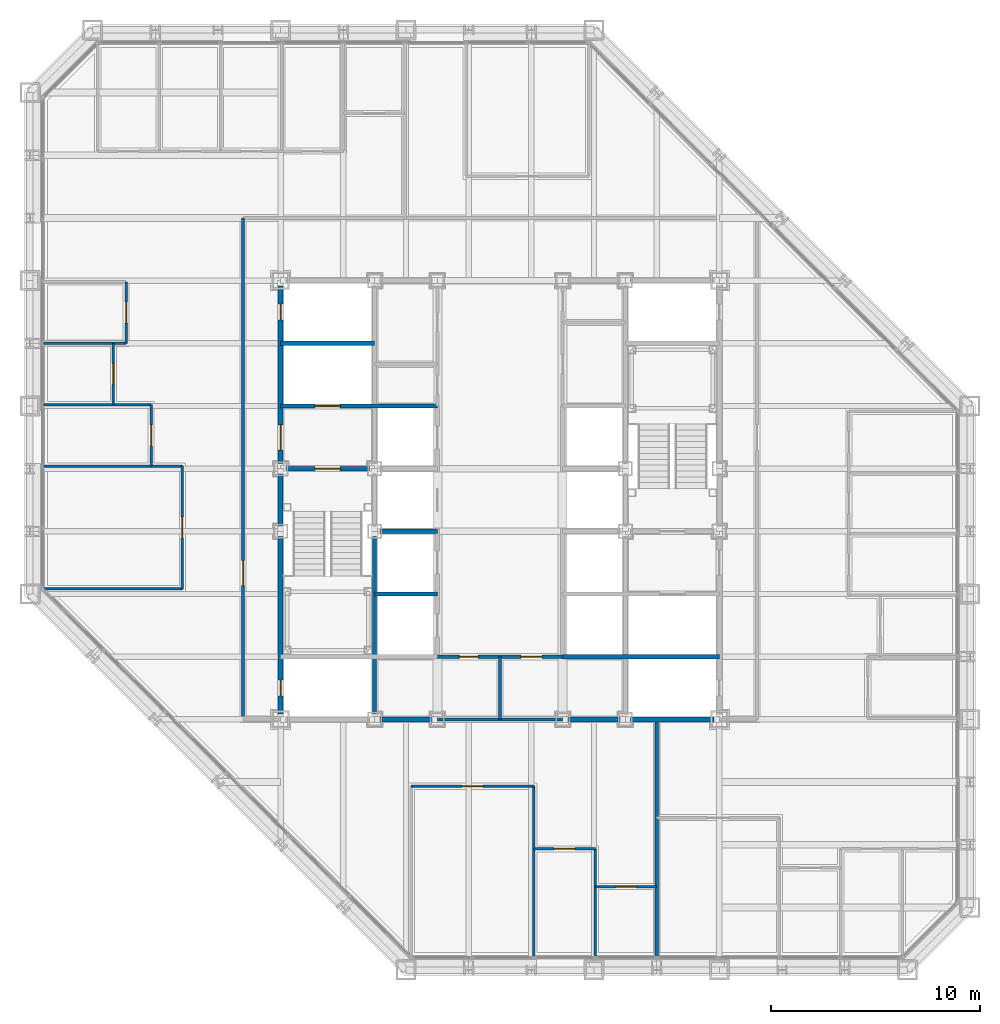
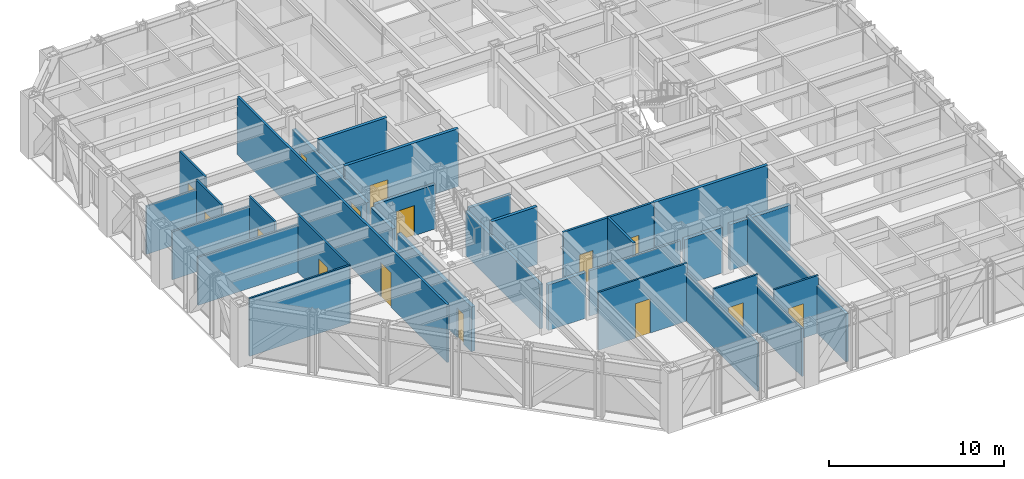
# One storey, part 10 of 16: 31 walls, 15 doors, 15 openings.
"""IFC4 building model written with IfcOpenShell, lengths in metres."""

from ifc_helpers import new_model, si_unit, direction, frame, frame_2d, origin, place, context, subcontext, project, spatial, rectangle, extrude, material, layer, layer_set, type_object, element, fill, save


model = new_model("IFC4")

# Units and contexts
model_context = context("Model", 3, precision=1e-05, world=origin(), true_north=direction((0.0, 1.0)))
body_context = subcontext(model_context, "Body", "Model", "MODEL_VIEW")
ifc_project = project(units=[si_unit("LENGTHUNIT", "METRE"), si_unit("AREAUNIT", "SQUARE_METRE"), si_unit("VOLUMEUNIT", "CUBIC_METRE"), si_unit("PLANEANGLEUNIT", "RADIAN"), si_unit("MASSUNIT", "GRAM", prefix="KILO")], contexts=[model_context])

# Site, building, storey
site_placement = place(None, origin())
site = spatial("IfcSite", under=ifc_project, at=site_placement, CompositionType="ELEMENT")
building_placement = place(site_placement, origin())
building = spatial("IfcBuilding", under=site, at=building_placement, Name="Chuquiago Exchange Tower", CompositionType="ELEMENT")
storey_placement = place(building_placement, frame((0.0, 0.0, 119.39990234375)))
storey = spatial("IfcBuildingStorey", under=building, at=storey_placement, Name="L25", CompositionType="ELEMENT", Elevation=119.39990234375)

# Wall, opening, door
ifc_material_1 = material(Name="Concrete masonry, fully grouted", Category="masonry")
ifc_layer_1 = layer(ifc_material_1, 0.25)
ifc_layer_set_1 = layer_set([ifc_layer_1], Name="W1 core wall 250")
wall_type_1 = type_object("IfcWallType", Name="W1 core wall 250", PredefinedType="SOLIDWALL", material=ifc_layer_set_1)
wall_1_placement = place(storey_placement, frame((12.0, 12.25, 0.0), z_axis=(0.0, 0.0, 1.0), x_axis=(0.0, 1.0, 0.0)))
wall_1 = element("IfcWall", 1, at=wall_1_placement, inside=storey, type_object=wall_type_1, Name="CW-L25-00-0", PredefinedType="SOLIDWALL", context=body_context, shape_type="SweptSolid", body=[
    extrude(rectangle(XDim=8.5, YDim=0.25, at=frame_2d((4.25, 0.0))), origin(), (0.0, 0.0, 1.0), 3.113037109375),
])
opening_1_placement = place(wall_1_placement, frame((0.875, 0.0, 0.0)))
opening_1 = element("IfcOpeningElement", 2, at=opening_1_placement, cuts=wall_1, Name="Opening L25-007", PredefinedType="OPENING", context=body_context, shape_type="SweptSolid", body=[
    extrude(rectangle(XDim=0.75, YDim=2.10009765625, at=frame_2d((0.375, 1.050048828125))), frame((0.0, 0.135009765625, 0.0), z_axis=(0.0, -1.0, 0.0), x_axis=(1.0, 0.0, 0.0)), (0.0, 0.0, 1.0), 0.27001953125),
])
ifc_material_2 = material(Name="Steel door, painted", Category="steel")
door_type_1 = type_object("IfcDoorType", Name="D6 riser access door 750x2100", OperationType="SINGLE_SWING_LEFT", PredefinedType="DOOR", material=ifc_material_2)
door_1_placement = place(opening_1_placement, frame((0.75, 0.0, 0.0), z_axis=(0.0, 0.0, 1.0), x_axis=(-1.0, 0.0, 0.0)))
door_1 = element("IfcDoor", 3, at=door_1_placement, inside=storey, type_object=door_type_1, Name="Riser RW1 door", OperationType="SINGLE_SWING_RIGHT", OverallHeight=2.10009765625, OverallWidth=0.75, PredefinedType="DOOR", context=body_context, shape_type="SweptSolid", body=[
    extrude(rectangle(XDim=0.75, YDim=2.10009765625, at=frame_2d((0.375, 1.050048828125))), frame((0.0, 0.02490234375, 0.0), z_axis=(0.0, -1.0, 0.0), x_axis=(1.0, 0.0, 0.0)), (0.0, 0.0, 1.0), 0.050048828125),
])
fill(opening_1, door_1)

# Wall
wall_2_placement = place(storey_placement, frame((12.0, 21.25, 0.0), z_axis=(0.0, 0.0, 1.0), x_axis=(0.0, 1.0, 0.0)))
element("IfcWall", 4, at=wall_2_placement, inside=storey, type_object=wall_type_1, Name="CW-L25-00-1", PredefinedType="SOLIDWALL", context=body_context, shape_type="SweptSolid", body=[
    extrude(rectangle(XDim=2.5, YDim=0.25, at=frame_2d((1.25, 0.0))), origin(), (0.0, 0.0, 1.0), 3.113037109375),
])

# Wall, openings, doors
wall_3_placement = place(storey_placement, frame((12.0, 24.25, 0.0), z_axis=(0.0, 0.0, 1.0), x_axis=(0.0, 1.0, 0.0)))
wall_3 = element("IfcWall", 5, at=wall_3_placement, inside=storey, type_object=wall_type_1, Name="CW-L25-00-2", PredefinedType="SOLIDWALL", context=body_context, shape_type="SweptSolid", body=[
    extrude(rectangle(XDim=8.5, YDim=0.25, at=frame_2d((4.25, 0.0))), origin(), (0.0, 0.0, 1.0), 3.113037109375),
])
opening_2_placement = place(wall_3_placement, frame((0.64990234375, 0.0, 0.0)))
opening_2 = element("IfcOpeningElement", 6, at=opening_2_placement, cuts=wall_3, Name="Opening L25-002", PredefinedType="OPENING", context=body_context, shape_type="SweptSolid", body=[
    extrude(rectangle(XDim=1.199951171875, YDim=2.10009765625, at=frame_2d((0.60009765625, 1.050048828125))), frame((0.0, 0.135009765625, 0.0), z_axis=(0.0, -1.0, 0.0), x_axis=(1.0, 0.0, 0.0)), (0.0, 0.0, 1.0), 0.27001953125),
])
opening_3_placement = place(wall_3_placement, frame((6.875, 0.0, 0.0)))
opening_3 = element("IfcOpeningElement", 7, at=opening_3_placement, cuts=wall_3, Name="Opening L25-008", PredefinedType="OPENING", context=body_context, shape_type="SweptSolid", body=[
    extrude(rectangle(XDim=0.75, YDim=2.10009765625, at=frame_2d((0.375, 1.050048828125))), frame((0.0, 0.135009765625, 0.0), z_axis=(0.0, -1.0, 0.0), x_axis=(1.0, 0.0, 0.0)), (0.0, 0.0, 1.0), 0.27001953125),
])
ifc_material_3 = material(Name="Steel door, painted", Category="steel")
door_type_2 = type_object("IfcDoorType", Name="D5 firefighting lobby door 1200x2100", OperationType="SINGLE_SWING_LEFT", PredefinedType="DOOR", material=ifc_material_3)
door_2_placement = place(opening_2_placement, frame((1.199951171875, 0.0, 0.0), z_axis=(0.0, 0.0, 1.0), x_axis=(-1.0, 0.0, 0.0)))
door_2 = element("IfcDoor", 8, at=door_2_placement, inside=storey, type_object=door_type_2, Name="Firefighting lobby 1 door", OperationType="SINGLE_SWING_RIGHT", OverallHeight=2.10009765625, OverallWidth=1.199951171875, PredefinedType="DOOR", context=body_context, shape_type="SweptSolid", body=[
    extrude(rectangle(XDim=1.199951171875, YDim=2.10009765625, at=frame_2d((0.60009765625, 1.050048828125))), frame((0.0, 0.02490234375, 0.0), z_axis=(0.0, -1.0, 0.0), x_axis=(1.0, 0.0, 0.0)), (0.0, 0.0, 1.0), 0.050048828125),
])
fill(opening_2, door_2)
door_3_placement = place(opening_3_placement, frame((0.75, 0.0, 0.0), z_axis=(0.0, 0.0, 1.0), x_axis=(-1.0, 0.0, 0.0)))
door_3 = element("IfcDoor", 9, at=door_3_placement, inside=storey, type_object=door_type_1, Name="Riser RW2 door", OperationType="SINGLE_SWING_LEFT", OverallHeight=2.10009765625, OverallWidth=0.75, PredefinedType="DOOR", context=body_context, shape_type="SweptSolid", body=[
    extrude(rectangle(XDim=0.75, YDim=2.10009765625, at=frame_2d((0.375, 1.050048828125))), frame((0.0, 0.02490234375, 0.0), z_axis=(0.0, -1.0, 0.0), x_axis=(1.0, 0.0, 0.0)), (0.0, 0.0, 1.0), 0.050048828125),
])
fill(opening_3, door_3)

# Walls
for number, where, z_axis, x_axis, name in (
    (10, (16.75, 12.0, 0.0), (0.0, 0.0, 1.0), (1.0, 0.0, 0.0), "CW-L25-01-1"),
    (11, (25.75, 12.0, 0.0), (0.0, 0.0, 1.0), (1.0, 0.0, 0.0), "CW-L25-02-0"),
):
    element("IfcWall", number, at=place(storey_placement, frame(where, z_axis=z_axis, x_axis=x_axis)), inside=storey, type_object=wall_type_1, Name=name, PredefinedType="SOLIDWALL", context=body_context, shape_type="SweptSolid", body=[
        extrude(rectangle(XDim=2.5, YDim=0.25, at=frame_2d((1.25, 0.0))), origin(), (0.0, 0.0, 1.0), 3.181640625),
    ])
wall_4_placement = place(storey_placement, frame((28.75, 12.0, 0.0), z_axis=(0.0, 0.0, 1.0), x_axis=(1.0, 0.0, 0.0)))
element("IfcWall", 12, at=wall_4_placement, inside=storey, type_object=wall_type_1, Name="CW-L25-02-1", PredefinedType="SOLIDWALL", context=body_context, shape_type="SweptSolid", body=[
    extrude(rectangle(XDim=4.0, YDim=0.25, at=frame_2d((2.0, 0.0))), origin(), (0.0, 0.0, 1.0), 3.181640625),
])

# Wall, opening, door
ifc_material_4 = material(Name="Gypsum board on steel studs, acoustic insulation", Category="steel")
ifc_layer_2 = layer(ifc_material_4, 0.14990234375)
ifc_layer_set_2 = layer_set([ifc_layer_2], Name="W11 corridor wall 150")
wall_type_2 = type_object("IfcWallType", Name="W11 corridor wall 150", PredefinedType="PARTITIONING", material=ifc_layer_set_2)
wall_5_placement = place(storey_placement, frame((10.199951171875, 12.0, 0.0), z_axis=(0.0, 0.0, 1.0), x_axis=(0.0, 1.0, 0.0)))
wall_5 = element("IfcWall", 13, at=wall_5_placement, inside=storey, type_object=wall_type_2, Name="PW-L25-CW", PredefinedType="PARTITIONING", context=body_context, shape_type="SweptSolid", body=[
    extrude(rectangle(XDim=24.0, YDim=0.14990234375, at=frame_2d((12.0, 0.0))), origin(), (0.0, 0.0, 1.0), 4.0400390625),
])
opening_4_placement = place(wall_5_placement, frame((6.39990234375, 0.0, 0.0)))
opening_4 = element("IfcOpeningElement", 14, at=opening_4_placement, cuts=wall_5, Name="Opening L25-043", PredefinedType="OPENING", context=body_context, shape_type="SweptSolid", body=[
    extrude(rectangle(XDim=1.199951171875, YDim=2.39990234375, at=frame_2d((0.60009765625, 1.199951171875))), frame((0.0, 0.0849609375, 0.0), z_axis=(0.0, -1.0, 0.0), x_axis=(1.0, 0.0, 0.0)), (0.0, 0.0, 1.0), 0.169921875),
])
ifc_material_5 = material(Name="Timber door, laminate faced", Category="wood")
door_type_3 = type_object("IfcDoorType", Name="D13 suite entrance door 1200x2400", OperationType="SINGLE_SWING_LEFT", PredefinedType="DOOR", material=ifc_material_5)
door_4_placement = place(opening_4_placement, origin())
door_4 = element("IfcDoor", 15, at=door_4_placement, inside=storey, type_object=door_type_3, Name="West suite entrance door", OperationType="SINGLE_SWING_LEFT", OverallHeight=2.39990234375, OverallWidth=1.199951171875, PredefinedType="DOOR", context=body_context, shape_type="SweptSolid", body=[
    extrude(rectangle(XDim=1.199951171875, YDim=2.39990234375, at=frame_2d((0.60009765625, 1.199951171875))), frame((0.0, 0.02490234375, 0.0), z_axis=(0.0, -1.0, 0.0), x_axis=(1.0, 0.0, 0.0)), (0.0, 0.0, 1.0), 0.050048828125),
])
fill(opening_4, door_4)

# Walls
ifc_material_6 = material(Name="Gypsum board on twin steel studs, acoustic insulation", Category="steel")
ifc_layer_3 = layer(ifc_material_6, 0.175048828125)
ifc_layer_set_3 = layer_set([ifc_layer_3], Name="W12 tenant demising wall 175")
wall_type_3 = type_object("IfcWallType", Name="W12 tenant demising wall 175", PredefinedType="PARTITIONING", material=ifc_layer_set_3)
wall_6_placement = place(storey_placement, frame((30.0, 0.652587890625, 0.0), z_axis=(0.0, 0.0, 1.0), x_axis=(0.0, 1.0, 0.0)))
element("IfcWall", 16, at=wall_6_placement, inside=storey, type_object=wall_type_3, Name="PW-L25-DS03000", PredefinedType="PARTITIONING", context=body_context, shape_type="SweptSolid", body=[
    extrude(rectangle(XDim=11.347412109375, YDim=0.175048828125, at=frame_2d((5.673828125, 0.0))), origin(), (0.0, 0.0, 1.0), 3.35693359375),
])
ifc_material_7 = material(Name="Concrete masonry, fully grouted", Category="masonry")
ifc_layer_4 = layer(ifc_material_7, 0.199951171875)
ifc_layer_set_4 = layer_set([ifc_layer_4], Name="W2 shaft wall 200")
wall_type_4 = type_object("IfcWallType", Name="W2 shaft wall 200", PredefinedType="SOLIDWALL", material=ifc_layer_set_4)
wall_7_placement = place(storey_placement, frame((25.5, 15.0, 0.0), z_axis=(0.0, 0.0, 1.0), x_axis=(1.0, 0.0, 0.0)))
element("IfcWall", 17, at=wall_7_placement, inside=storey, type_object=wall_type_4, Name="CW-L25-04-0", PredefinedType="SOLIDWALL", context=body_context, shape_type="SweptSolid", body=[
    extrude(rectangle(XDim=7.5, YDim=0.199951171875, at=frame_2d((3.75, 0.0))), origin(), (0.0, 0.0, 1.0), 4.0400390625),
])

# Wall, opening, door
wall_8_placement = place(storey_placement, frame((12.25, 24.0, 0.0), z_axis=(0.0, 0.0, 1.0), x_axis=(1.0, 0.0, 0.0)))
wall_8 = element("IfcWall", 18, at=wall_8_placement, inside=storey, type_object=wall_type_4, Name="CW-L25-05-0", PredefinedType="SOLIDWALL", context=body_context, shape_type="SweptSolid", body=[
    extrude(rectangle(XDim=4.0, YDim=0.199951171875, at=frame_2d((2.0, 0.0))), origin(), (0.0, 0.0, 1.0), 3.090087890625),
])
opening_5_placement = place(wall_8_placement, frame((1.39990234375, 0.0, 0.0)))
opening_5 = element("IfcOpeningElement", 19, at=opening_5_placement, cuts=wall_8, Name="Opening L25-001", PredefinedType="OPENING", context=body_context, shape_type="SweptSolid", body=[
    extrude(rectangle(XDim=1.199951171875, YDim=2.10009765625, at=frame_2d((0.60009765625, 1.050048828125))), frame((0.0, 0.10986328125, 0.0), z_axis=(0.0, -1.0, 0.0), x_axis=(1.0, 0.0, 0.0)), (0.0, 0.0, 1.0), 0.219970703125),
])
ifc_material_8 = material(Name="Steel door, painted", Category="steel")
door_type_4 = type_object("IfcDoorType", Name="D4 stair door 1200x2100", OperationType="SINGLE_SWING_LEFT", PredefinedType="DOOR", material=ifc_material_8)
door_5_placement = place(opening_5_placement, frame((1.199951171875, 0.0, 0.0), z_axis=(0.0, 0.0, 1.0), x_axis=(-1.0, 0.0, 0.0)))
door_5 = element("IfcDoor", 20, at=door_5_placement, inside=storey, type_object=door_type_4, Name="Stair ST1 door", OperationType="SINGLE_SWING_RIGHT", OverallHeight=2.10009765625, OverallWidth=1.199951171875, PredefinedType="DOOR", context=body_context, shape_type="SweptSolid", body=[
    extrude(rectangle(XDim=1.199951171875, YDim=2.10009765625, at=frame_2d((0.60009765625, 1.050048828125))), frame((0.0, 0.02490234375, 0.0), z_axis=(0.0, -1.0, 0.0), x_axis=(1.0, 0.0, 0.0)), (0.0, 0.0, 1.0), 0.050048828125),
])
fill(opening_5, door_5)

wall_9_placement = place(storey_placement, frame((12.0, 27.0, 0.0), z_axis=(0.0, 0.0, 1.0), x_axis=(1.0, 0.0, 0.0)))
wall_9 = element("IfcWall", 21, at=wall_9_placement, inside=storey, type_object=wall_type_4, Name="CW-L25-07-0", PredefinedType="SOLIDWALL", context=body_context, shape_type="SweptSolid", body=[
    extrude(rectangle(XDim=7.5, YDim=0.199951171875, at=frame_2d((3.75, 0.0))), origin(), (0.0, 0.0, 1.0), 4.0400390625),
])
opening_6_placement = place(wall_9_placement, frame((1.64990234375, 0.0, 0.0)))
opening_6 = element("IfcOpeningElement", 22, at=opening_6_placement, cuts=wall_9, Name="Opening L25-005", PredefinedType="OPENING", context=body_context, shape_type="SweptSolid", body=[
    extrude(rectangle(XDim=1.199951171875, YDim=2.10009765625, at=frame_2d((0.60009765625, 1.050048828125))), frame((0.0, 0.10986328125, 0.0), z_axis=(0.0, -1.0, 0.0), x_axis=(1.0, 0.0, 0.0)), (0.0, 0.0, 1.0), 0.219970703125),
])
ifc_material_9 = material(Name="Stainless steel lift landing door", Category="steel")
door_type_5 = type_object("IfcDoorType", Name="LD2 firefighting lift landing door 1200x2100", OperationType="DOUBLE_DOOR_SLIDING", PredefinedType="DOOR", material=ifc_material_9)
door_6_placement = place(opening_6_placement, origin())
door_6 = element("IfcDoor", 23, at=door_6_placement, inside=storey, type_object=door_type_5, Name="Firefighting lift FL1 landing door", OperationType="DOUBLE_DOOR_SLIDING", OverallHeight=2.10009765625, OverallWidth=1.199951171875, PredefinedType="DOOR", context=body_context, shape_type="SweptSolid", body=[
    extrude(rectangle(XDim=1.199951171875, YDim=2.10009765625, at=frame_2d((0.60009765625, 1.050048828125))), frame((0.0, 0.02490234375, 0.0), z_axis=(0.0, -1.0, 0.0), x_axis=(1.0, 0.0, 0.0)), (0.0, 0.0, 1.0), 0.050048828125),
])
fill(opening_6, door_6)

# Walls
wall_10_placement = place(storey_placement, frame((12.0, 30.0, 0.0), z_axis=(0.0, 0.0, 1.0), x_axis=(1.0, 0.0, 0.0)))
element("IfcWall", 24, at=wall_10_placement, inside=storey, type_object=wall_type_4, Name="CW-L25-09-0", PredefinedType="SOLIDWALL", context=body_context, shape_type="SweptSolid", body=[
    extrude(rectangle(XDim=4.5, YDim=0.199951171875, at=frame_2d((2.25, 0.0))), origin(), (0.0, 0.0, 1.0), 4.0400390625),
])
wall_11_placement = place(storey_placement, frame((16.5, 12.25, 0.0), z_axis=(0.0, 0.0, 1.0), x_axis=(0.0, 1.0, 0.0)))
element("IfcWall", 25, at=wall_11_placement, inside=storey, type_object=wall_type_4, Name="CW-L25-13-0", PredefinedType="SOLIDWALL", context=body_context, shape_type="SweptSolid", body=[
    extrude(rectangle(XDim=8.5, YDim=0.199951171875, at=frame_2d((4.25, 0.0))), origin(), (0.0, 0.0, 1.0), 3.113037109375),
])
wall_12_placement = place(storey_placement, frame((16.5, 18.0, 0.0), z_axis=(0.0, 0.0, 1.0), x_axis=(1.0, 0.0, 0.0)))
element("IfcWall", 26, at=wall_12_placement, inside=storey, type_object=wall_type_4, Name="CW-L25-14-0", PredefinedType="SOLIDWALL", context=body_context, shape_type="SweptSolid", body=[
    extrude(rectangle(XDim=3.0, YDim=0.199951171875, at=frame_2d((1.5, 0.0))), origin(), (0.0, 0.0, 1.0), 4.0400390625),
])
wall_13_placement = place(storey_placement, frame((16.75, 21.0, 0.0), z_axis=(0.0, 0.0, 1.0), x_axis=(1.0, 0.0, 0.0)))
element("IfcWall", 27, at=wall_13_placement, inside=storey, type_object=wall_type_4, Name="CW-L25-16-0", PredefinedType="SOLIDWALL", context=body_context, shape_type="SweptSolid", body=[
    extrude(rectangle(XDim=2.75, YDim=0.199951171875, at=frame_2d((1.375, 0.0))), origin(), (0.0, 0.0, 1.0), 3.090087890625),
])

# Wall, openings, doors
ifc_material_10 = material(Name="Gypsum board on steel studs", Category="steel")
ifc_layer_5 = layer(ifc_material_10, 0.14990234375)
ifc_layer_set_5 = layer_set([ifc_layer_5], Name="W3 core partition 150")
wall_type_5 = type_object("IfcWallType", Name="W3 core partition 150", PredefinedType="PARTITIONING", material=ifc_layer_set_5)
wall_14_placement = place(storey_placement, frame((19.5, 15.0, 0.0), z_axis=(0.0, 0.0, 1.0), x_axis=(1.0, 0.0, 0.0)))
wall_14 = element("IfcWall", 28, at=wall_14_placement, inside=storey, type_object=wall_type_5, Name="CW-L25-TF", PredefinedType="PARTITIONING", context=body_context, shape_type="SweptSolid", body=[
    extrude(rectangle(XDim=6.0, YDim=0.14990234375, at=frame_2d((3.0, 0.0))), origin(), (0.0, 0.0, 1.0), 4.0400390625),
])
opening_7_placement = place(wall_14_placement, frame((4.0, 0.0, 0.0)))
opening_7 = element("IfcOpeningElement", 29, at=opening_7_placement, cuts=wall_14, Name="Opening L25-015", PredefinedType="OPENING", context=body_context, shape_type="SweptSolid", body=[
    extrude(rectangle(XDim=1.0, YDim=2.10009765625, at=frame_2d((0.5, 1.050048828125))), frame((0.0, 0.0849609375, 0.0), z_axis=(0.0, -1.0, 0.0), x_axis=(1.0, 0.0, 0.0)), (0.0, 0.0, 1.0), 0.169921875),
])
opening_8_placement = place(wall_14_placement, frame((1.050048828125, 0.0, 0.0)))
opening_8 = element("IfcOpeningElement", 30, at=opening_8_placement, cuts=wall_14, Name="Opening L25-016", PredefinedType="OPENING", context=body_context, shape_type="SweptSolid", body=[
    extrude(rectangle(XDim=0.89990234375, YDim=2.10009765625, at=frame_2d((0.449951171875, 1.050048828125))), frame((0.0, 0.0849609375, 0.0), z_axis=(0.0, -1.0, 0.0), x_axis=(1.0, 0.0, 0.0)), (0.0, 0.0, 1.0), 0.169921875),
])
ifc_material_11 = material(Name="Timber door, laminate faced", Category="wood")
door_type_6 = type_object("IfcDoorType", Name="D7 toilet door 900x2100", OperationType="SINGLE_SWING_LEFT", PredefinedType="DOOR", material=ifc_material_11)
door_7_placement = place(opening_8_placement, origin())
door_7 = element("IfcDoor", 31, at=door_7_placement, inside=storey, type_object=door_type_6, Name="Cleaner door", OperationType="SINGLE_SWING_LEFT", OverallHeight=2.10009765625, OverallWidth=0.89990234375, PredefinedType="DOOR", context=body_context, shape_type="SweptSolid", body=[
    extrude(rectangle(XDim=0.89990234375, YDim=2.10009765625, at=frame_2d((0.449951171875, 1.050048828125))), frame((0.0, 0.02490234375, 0.0), z_axis=(0.0, -1.0, 0.0), x_axis=(1.0, 0.0, 0.0)), (0.0, 0.0, 1.0), 0.050048828125),
])
fill(opening_8, door_7)
ifc_material_12 = material(Name="Timber door, laminate faced", Category="wood")
door_type_7 = type_object("IfcDoorType", Name="D8 accessible toilet door 1000x2100", OperationType="SLIDING_TO_LEFT", PredefinedType="DOOR", material=ifc_material_12)
door_8_placement = place(opening_7_placement, origin())
door_8 = element("IfcDoor", 32, at=door_8_placement, inside=storey, type_object=door_type_7, Name="Accessible WC door", OperationType="SLIDING_TO_LEFT", OverallHeight=2.10009765625, OverallWidth=1.0, PredefinedType="DOOR", context=body_context, shape_type="SweptSolid", body=[
    extrude(rectangle(XDim=1.0, YDim=2.10009765625, at=frame_2d((0.5, 1.050048828125))), frame((0.0, 0.02490234375, 0.0), z_axis=(0.0, -1.0, 0.0), x_axis=(1.0, 0.0, 0.0)), (0.0, 0.0, 1.0), 0.050048828125),
])
fill(opening_7, door_8)

# Walls
wall_15_placement = place(storey_placement, frame((22.5, 15.0, 0.0), z_axis=(0.0, 0.0, 1.0), x_axis=(0.0, -1.0, 0.0)))
element("IfcWall", 33, at=wall_15_placement, inside=storey, type_object=wall_type_5, Name="CW-L25-TM", PredefinedType="PARTITIONING", context=body_context, shape_type="SweptSolid", body=[
    extrude(rectangle(XDim=3.0, YDim=0.14990234375, at=frame_2d((1.5, 0.0))), origin(), (0.0, 0.0, 1.0), 4.0400390625),
])
wall_16_placement = place(storey_placement, frame((19.5, 12.0, 0.0), z_axis=(0.0, 0.0, 1.0), x_axis=(1.0, 0.0, 0.0)))
element("IfcWall", 34, at=wall_16_placement, inside=storey, type_object=wall_type_5, Name="CW-L25-TB", PredefinedType="PARTITIONING", context=body_context, shape_type="SweptSolid", body=[
    extrude(rectangle(XDim=6.0, YDim=0.14990234375, at=frame_2d((3.0, 0.0))), origin(), (0.0, 0.0, 1.0), 3.181640625),
])
ifc_material_13 = material(Name="Gypsum board on steel studs", Category="steel")
ifc_layer_6 = layer(ifc_material_13, 0.1201171875)
ifc_layer_set_6 = layer_set([ifc_layer_6], Name="W4 partition 120")
wall_type_6 = type_object("IfcWallType", Name="W4 partition 120", PredefinedType="PARTITIONING", material=ifc_layer_set_6)
wall_17_placement = place(storey_placement, frame((24.124267578125, 0.652587890625, 0.0), z_axis=(0.0, 0.0, 1.0), x_axis=(0.0, 1.0, 0.0)))
element("IfcWall", 35, at=wall_17_placement, inside=storey, type_object=wall_type_6, Name="PW-L25-S02412", PredefinedType="PARTITIONING", context=body_context, shape_type="SweptSolid", body=[
    extrude(rectangle(XDim=8.1474609375, YDim=0.1201171875, at=frame_2d((4.07373046875, 0.0))), origin(), (0.0, 0.0, 1.0), 3.35693359375),
])
wall_18_placement = place(storey_placement, frame((27.06201171875, 0.652587890625, 0.0), z_axis=(0.0, 0.0, 1.0), x_axis=(0.0, 1.0, 0.0)))
element("IfcWall", 36, at=wall_18_placement, inside=storey, type_object=wall_type_6, Name="PW-L25-S02706", PredefinedType="PARTITIONING", context=body_context, shape_type="SweptSolid", body=[
    extrude(rectangle(XDim=5.1474609375, YDim=0.1201171875, at=frame_2d((2.57373046875, 0.0))), origin(), (0.0, 0.0, 1.0), 3.35693359375),
])

# Wall, opening, door
wall_19_placement = place(storey_placement, frame((18.24853515625, 8.800048828125, 0.0), z_axis=(0.0, 0.0, 1.0), x_axis=(1.0, 0.0, 0.0)))
wall_19 = element("IfcWall", 37, at=wall_19_placement, inside=storey, type_object=wall_type_6, Name="PW-L25-SF01825", PredefinedType="PARTITIONING", context=body_context, shape_type="SweptSolid", body=[
    extrude(rectangle(XDim=5.875732421875, YDim=0.1201171875, at=frame_2d((2.93798828125, 0.0))), origin(), (0.0, 0.0, 1.0), 4.0400390625),
])
opening_9_placement = place(wall_19_placement, frame((2.43798828125, 0.0, 0.0)))
opening_9 = element("IfcOpeningElement", 38, at=opening_9_placement, cuts=wall_19, Name="Opening L25-021", PredefinedType="OPENING", context=body_context, shape_type="SweptSolid", body=[
    extrude(rectangle(XDim=1.0, YDim=2.39990234375, at=frame_2d((0.5, 1.199951171875))), frame((0.0, 0.070068359375, 0.0), z_axis=(0.0, -1.0, 0.0), x_axis=(1.0, 0.0, 0.0)), (0.0, 0.0, 1.0), 0.14013671875),
])
ifc_material_14 = material(Name="Timber door, laminate faced", Category="wood")
door_type_8 = type_object("IfcDoorType", Name="D9 room door 1000x2400", OperationType="SINGLE_SWING_LEFT", PredefinedType="DOOR", material=ifc_material_14)
door_9_placement = place(opening_9_placement, frame((1.0, 0.0, 0.0), z_axis=(0.0, 0.0, 1.0), x_axis=(-1.0, 0.0, 0.0)))
door_9 = element("IfcDoor", 39, at=door_9_placement, inside=storey, type_object=door_type_8, Name="Settlement office door", OperationType="SINGLE_SWING_RIGHT", OverallHeight=2.39990234375, OverallWidth=1.0, PredefinedType="DOOR", context=body_context, shape_type="SweptSolid", body=[
    extrude(rectangle(XDim=1.0, YDim=2.39990234375, at=frame_2d((0.5, 1.199951171875))), frame((0.0, 0.02490234375, 0.0), z_axis=(0.0, -1.0, 0.0), x_axis=(1.0, 0.0, 0.0)), (0.0, 0.0, 1.0), 0.050048828125),
])
fill(opening_9, door_9)

wall_20_placement = place(storey_placement, frame((24.124267578125, 5.800048828125, 0.0), z_axis=(0.0, 0.0, 1.0), x_axis=(1.0, 0.0, 0.0)))
wall_20 = element("IfcWall", 40, at=wall_20_placement, inside=storey, type_object=wall_type_6, Name="PW-L25-SF02412", PredefinedType="PARTITIONING", context=body_context, shape_type="SweptSolid", body=[
    extrude(rectangle(XDim=2.937744140625, YDim=0.1201171875, at=frame_2d((1.46875, 0.0))), origin(), (0.0, 0.0, 1.0), 4.0400390625),
])
opening_10_placement = place(wall_20_placement, frame((0.968994140625, 0.0, 0.0)))
opening_10 = element("IfcOpeningElement", 41, at=opening_10_placement, cuts=wall_20, Name="Opening L25-022", PredefinedType="OPENING", context=body_context, shape_type="SweptSolid", body=[
    extrude(rectangle(XDim=1.0, YDim=2.39990234375, at=frame_2d((0.5, 1.199951171875))), frame((0.0, 0.070068359375, 0.0), z_axis=(0.0, -1.0, 0.0), x_axis=(1.0, 0.0, 0.0)), (0.0, 0.0, 1.0), 0.14013671875),
])
door_10_placement = place(opening_10_placement, frame((1.0, 0.0, 0.0), z_axis=(0.0, 0.0, 1.0), x_axis=(-1.0, 0.0, 0.0)))
door_10 = element("IfcDoor", 42, at=door_10_placement, inside=storey, type_object=door_type_8, Name="Office door", OperationType="SINGLE_SWING_LEFT", OverallHeight=2.39990234375, OverallWidth=1.0, PredefinedType="DOOR", context=body_context, shape_type="SweptSolid", body=[
    extrude(rectangle(XDim=1.0, YDim=2.39990234375, at=frame_2d((0.5, 1.199951171875))), frame((0.0, 0.02490234375, 0.0), z_axis=(0.0, -1.0, 0.0), x_axis=(1.0, 0.0, 0.0)), (0.0, 0.0, 1.0), 0.050048828125),
])
fill(opening_10, door_10)

wall_21_placement = place(storey_placement, frame((27.06201171875, 4.0, 0.0), z_axis=(0.0, 0.0, 1.0), x_axis=(1.0, 0.0, 0.0)))
wall_21 = element("IfcWall", 43, at=wall_21_placement, inside=storey, type_object=wall_type_6, Name="PW-L25-SF02706", PredefinedType="PARTITIONING", context=body_context, shape_type="SweptSolid", body=[
    extrude(rectangle(XDim=2.93798828125, YDim=0.1201171875, at=frame_2d((1.468994140625, 0.0))), origin(), (0.0, 0.0, 1.0), 4.0400390625),
])
opening_11_placement = place(wall_21_placement, frame((0.968994140625, 0.0, 0.0)))
opening_11 = element("IfcOpeningElement", 44, at=opening_11_placement, cuts=wall_21, Name="Opening L25-023", PredefinedType="OPENING", context=body_context, shape_type="SweptSolid", body=[
    extrude(rectangle(XDim=1.0, YDim=2.39990234375, at=frame_2d((0.5, 1.199951171875))), frame((0.0, 0.070068359375, 0.0), z_axis=(0.0, -1.0, 0.0), x_axis=(1.0, 0.0, 0.0)), (0.0, 0.0, 1.0), 0.14013671875),
])
ifc_material_15 = material(Name="Timber frame door, full height glazed panel", Category="wood")
door_type_9 = type_object("IfcDoorType", Name="D14 glazed meeting room door 1000x2400", OperationType="SINGLE_SWING_LEFT", PredefinedType="DOOR", material=ifc_material_15)
door_11_placement = place(opening_11_placement, frame((1.0, 0.0, 0.0), z_axis=(0.0, 0.0, 1.0), x_axis=(-1.0, 0.0, 0.0)))
door_11 = element("IfcDoor", 45, at=door_11_placement, inside=storey, type_object=door_type_9, Name="Focus room door", OperationType="SINGLE_SWING_LEFT", OverallHeight=2.39990234375, OverallWidth=1.0, PredefinedType="DOOR", context=body_context, shape_type="SweptSolid", body=[
    extrude(rectangle(XDim=1.0, YDim=2.39990234375, at=frame_2d((0.5, 1.199951171875))), frame((0.0, 0.02490234375, 0.0), z_axis=(0.0, -1.0, 0.0), x_axis=(1.0, 0.0, 0.0)), (0.0, 0.0, 1.0), 0.050048828125),
])
fill(opening_11, door_11)

# Walls
wall_22_placement = place(storey_placement, frame((0.666015625, 18.24853515625, 0.0), z_axis=(0.0, 0.0, 1.0), x_axis=(1.0, 0.0, 0.0)))
element("IfcWall", 46, at=wall_22_placement, inside=storey, type_object=wall_type_6, Name="PW-L25-W01825", PredefinedType="PARTITIONING", context=body_context, shape_type="SweptSolid", body=[
    extrude(rectangle(XDim=6.634033203125, YDim=0.1201171875, at=frame_2d((3.31689453125, 0.0))), origin(), (0.0, 0.0, 1.0), 4.0400390625),
])
wall_23_placement = place(storey_placement, frame((0.652587890625, 24.124267578125, 0.0), z_axis=(0.0, 0.0, 1.0), x_axis=(1.0, 0.0, 0.0)))
element("IfcWall", 47, at=wall_23_placement, inside=storey, type_object=wall_type_6, Name="PW-L25-W02412", PredefinedType="PARTITIONING", context=body_context, shape_type="SweptSolid", body=[
    extrude(rectangle(XDim=6.6474609375, YDim=0.1201171875, at=frame_2d((3.32373046875, 0.0))), origin(), (0.0, 0.0, 1.0), 3.35693359375),
])
wall_24_placement = place(storey_placement, frame((0.652587890625, 27.06201171875, 0.0), z_axis=(0.0, 0.0, 1.0), x_axis=(1.0, 0.0, 0.0)))
element("IfcWall", 48, at=wall_24_placement, inside=storey, type_object=wall_type_6, Name="PW-L25-W02706", PredefinedType="PARTITIONING", context=body_context, shape_type="SweptSolid", body=[
    extrude(rectangle(XDim=5.1474609375, YDim=0.1201171875, at=frame_2d((2.57373046875, 0.0))), origin(), (0.0, 0.0, 1.0), 3.35693359375),
])
wall_25_placement = place(storey_placement, frame((0.652587890625, 30.0, 0.0), z_axis=(0.0, 0.0, 1.0), x_axis=(1.0, 0.0, 0.0)))
element("IfcWall", 49, at=wall_25_placement, inside=storey, type_object=wall_type_6, Name="PW-L25-W03000", PredefinedType="PARTITIONING", context=body_context, shape_type="SweptSolid", body=[
    extrude(rectangle(XDim=3.947509765625, YDim=0.1201171875, at=frame_2d((1.9736328125, 0.0))), origin(), (0.0, 0.0, 1.0), 3.35693359375),
])

# Wall, opening, door
wall_26_placement = place(storey_placement, frame((7.300048828125, 18.24853515625, 0.0), z_axis=(0.0, 0.0, 1.0), x_axis=(0.0, 1.0, 0.0)))
wall_26 = element("IfcWall", 50, at=wall_26_placement, inside=storey, type_object=wall_type_6, Name="PW-L25-WF01825", PredefinedType="PARTITIONING", context=body_context, shape_type="SweptSolid", body=[
    extrude(rectangle(XDim=5.875732421875, YDim=0.1201171875, at=frame_2d((2.93798828125, 0.0))), origin(), (0.0, 0.0, 1.0), 4.0400390625),
])
opening_12_placement = place(wall_26_placement, frame((2.43798828125, 0.0, 0.0)))
opening_12 = element("IfcOpeningElement", 51, at=opening_12_placement, cuts=wall_26, Name="Opening L25-039", PredefinedType="OPENING", context=body_context, shape_type="SweptSolid", body=[
    extrude(rectangle(XDim=1.0, YDim=2.39990234375, at=frame_2d((0.5, 1.199951171875))), frame((0.0, 0.070068359375, 0.0), z_axis=(0.0, -1.0, 0.0), x_axis=(1.0, 0.0, 0.0)), (0.0, 0.0, 1.0), 0.14013671875),
])
door_12_placement = place(opening_12_placement, origin())
door_12 = element("IfcDoor", 52, at=door_12_placement, inside=storey, type_object=door_type_9, Name="Conference room door", OperationType="SINGLE_SWING_LEFT", OverallHeight=2.39990234375, OverallWidth=1.0, PredefinedType="DOOR", context=body_context, shape_type="SweptSolid", body=[
    extrude(rectangle(XDim=1.0, YDim=2.39990234375, at=frame_2d((0.5, 1.199951171875))), frame((0.0, 0.02490234375, 0.0), z_axis=(0.0, -1.0, 0.0), x_axis=(1.0, 0.0, 0.0)), (0.0, 0.0, 1.0), 0.050048828125),
])
fill(opening_12, door_12)

wall_27_placement = place(storey_placement, frame((5.800048828125, 24.124267578125, 0.0), z_axis=(0.0, 0.0, 1.0), x_axis=(0.0, 1.0, 0.0)))
wall_27 = element("IfcWall", 53, at=wall_27_placement, inside=storey, type_object=wall_type_6, Name="PW-L25-WF02412", PredefinedType="PARTITIONING", context=body_context, shape_type="SweptSolid", body=[
    extrude(rectangle(XDim=2.937744140625, YDim=0.1201171875, at=frame_2d((1.46875, 0.0))), origin(), (0.0, 0.0, 1.0), 4.0400390625),
])
opening_13_placement = place(wall_27_placement, frame((0.968994140625, 0.0, 0.0)))
opening_13 = element("IfcOpeningElement", 54, at=opening_13_placement, cuts=wall_27, Name="Opening L25-040", PredefinedType="OPENING", context=body_context, shape_type="SweptSolid", body=[
    extrude(rectangle(XDim=1.0, YDim=2.39990234375, at=frame_2d((0.5, 1.199951171875))), frame((0.0, 0.070068359375, 0.0), z_axis=(0.0, -1.0, 0.0), x_axis=(1.0, 0.0, 0.0)), (0.0, 0.0, 1.0), 0.14013671875),
])
door_13_placement = place(opening_13_placement, origin())
door_13 = element("IfcDoor", 55, at=door_13_placement, inside=storey, type_object=door_type_8, Name="Office door", OperationType="SINGLE_SWING_RIGHT", OverallHeight=2.39990234375, OverallWidth=1.0, PredefinedType="DOOR", context=body_context, shape_type="SweptSolid", body=[
    extrude(rectangle(XDim=1.0, YDim=2.39990234375, at=frame_2d((0.5, 1.199951171875))), frame((0.0, 0.02490234375, 0.0), z_axis=(0.0, -1.0, 0.0), x_axis=(1.0, 0.0, 0.0)), (0.0, 0.0, 1.0), 0.050048828125),
])
fill(opening_13, door_13)

wall_28_placement = place(storey_placement, frame((4.0, 27.06201171875, 0.0), z_axis=(0.0, 0.0, 1.0), x_axis=(0.0, 1.0, 0.0)))
wall_28 = element("IfcWall", 56, at=wall_28_placement, inside=storey, type_object=wall_type_6, Name="PW-L25-WF02706", PredefinedType="PARTITIONING", context=body_context, shape_type="SweptSolid", body=[
    extrude(rectangle(XDim=2.93798828125, YDim=0.1201171875, at=frame_2d((1.468994140625, 0.0))), origin(), (0.0, 0.0, 1.0), 4.0400390625),
])
opening_14_placement = place(wall_28_placement, frame((0.968994140625, 0.0, 0.0)))
opening_14 = element("IfcOpeningElement", 57, at=opening_14_placement, cuts=wall_28, Name="Opening L25-041", PredefinedType="OPENING", context=body_context, shape_type="SweptSolid", body=[
    extrude(rectangle(XDim=1.0, YDim=2.39990234375, at=frame_2d((0.5, 1.199951171875))), frame((0.0, 0.070068359375, 0.0), z_axis=(0.0, -1.0, 0.0), x_axis=(1.0, 0.0, 0.0)), (0.0, 0.0, 1.0), 0.14013671875),
])
door_14_placement = place(opening_14_placement, origin())
door_14 = element("IfcDoor", 58, at=door_14_placement, inside=storey, type_object=door_type_9, Name="Focus room door", OperationType="SINGLE_SWING_LEFT", OverallHeight=2.39990234375, OverallWidth=1.0, PredefinedType="DOOR", context=body_context, shape_type="SweptSolid", body=[
    extrude(rectangle(XDim=1.0, YDim=2.39990234375, at=frame_2d((0.5, 1.199951171875))), frame((0.0, 0.02490234375, 0.0), z_axis=(0.0, -1.0, 0.0), x_axis=(1.0, 0.0, 0.0)), (0.0, 0.0, 1.0), 0.050048828125),
])
fill(opening_14, door_14)

wall_29_placement = place(storey_placement, frame((4.60009765625, 30.0, 0.0), z_axis=(0.0, 0.0, 1.0), x_axis=(0.0, 1.0, 0.0)))
wall_29 = element("IfcWall", 59, at=wall_29_placement, inside=storey, type_object=wall_type_6, Name="PW-L25-WF03000", PredefinedType="PARTITIONING", context=body_context, shape_type="SweptSolid", body=[
    extrude(rectangle(XDim=2.93798828125, YDim=0.1201171875, at=frame_2d((1.468994140625, 0.0))), origin(), (0.0, 0.0, 1.0), 4.0400390625),
])
opening_15_placement = place(wall_29_placement, frame((0.968994140625, 0.0, 0.0)))
opening_15 = element("IfcOpeningElement", 60, at=opening_15_placement, cuts=wall_29, Name="Opening L25-042", PredefinedType="OPENING", context=body_context, shape_type="SweptSolid", body=[
    extrude(rectangle(XDim=1.0, YDim=2.39990234375, at=frame_2d((0.5, 1.199951171875))), frame((0.0, 0.070068359375, 0.0), z_axis=(0.0, -1.0, 0.0), x_axis=(1.0, 0.0, 0.0)), (0.0, 0.0, 1.0), 0.14013671875),
])
door_15_placement = place(opening_15_placement, origin())
door_15 = element("IfcDoor", 61, at=door_15_placement, inside=storey, type_object=door_type_8, Name="Pantry door", OperationType="SINGLE_SWING_LEFT", OverallHeight=2.39990234375, OverallWidth=1.0, PredefinedType="DOOR", context=body_context, shape_type="SweptSolid", body=[
    extrude(rectangle(XDim=1.0, YDim=2.39990234375, at=frame_2d((0.5, 1.199951171875))), frame((0.0, 0.02490234375, 0.0), z_axis=(0.0, -1.0, 0.0), x_axis=(1.0, 0.0, 0.0)), (0.0, 0.0, 1.0), 0.050048828125),
])
fill(opening_15, door_15)

save(model, "model.ifc")
